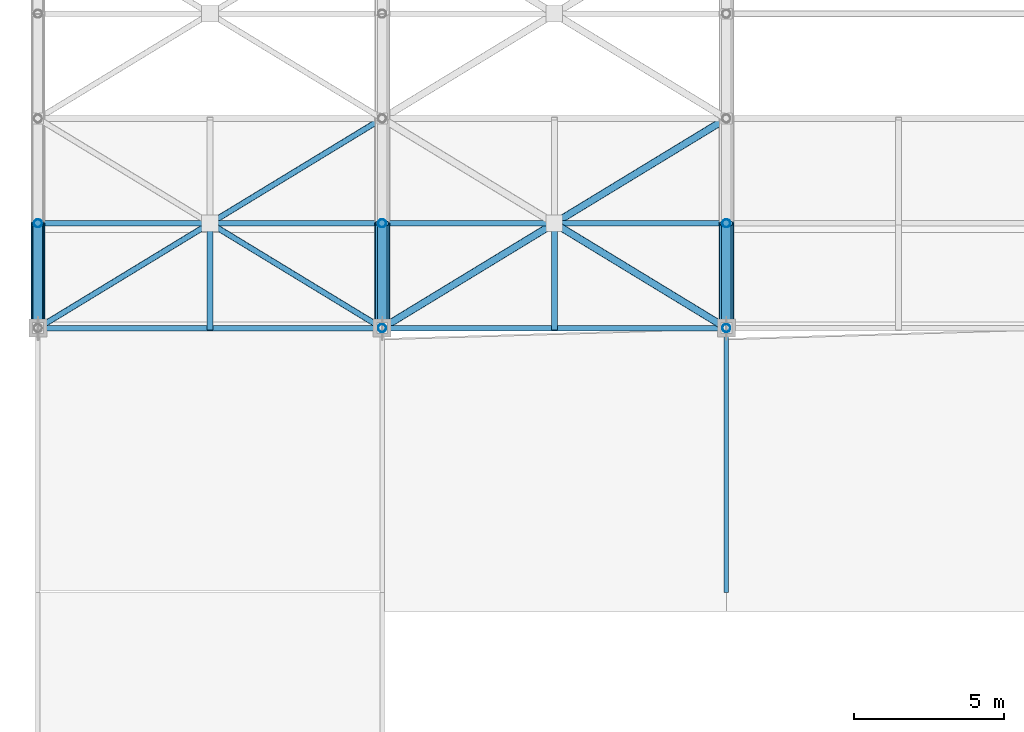
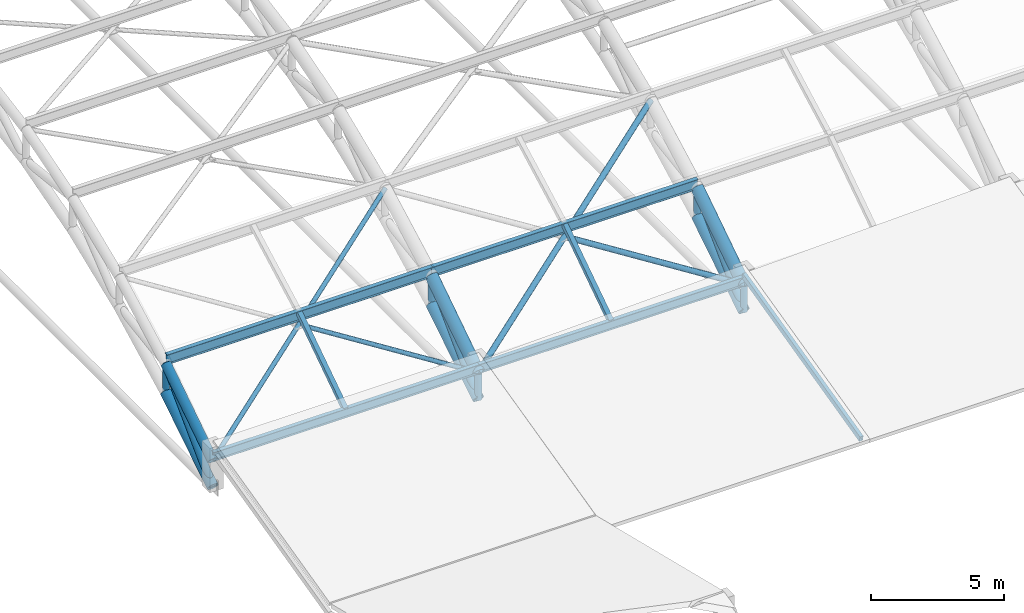
# One storey, part 4 of 154: 25 members.
"""IFC4 building model written with IfcOpenShell, lengths in metres."""

from ifc_helpers import new_model, si_unit, direction, frame, origin, origin_2d, place, context, subcontext, project, spatial, hollow_rectangle, hollow_circle, i_section, extrude, material, material_profile, profile_set, type_object, element, save


model = new_model("IFC4")

# Units and contexts
model_context = context("Model", 3, precision=1e-05, world=origin(), true_north=direction((0.0, 1.0)))
body_context = subcontext(model_context, "Body", "Model", "MODEL_VIEW")
ifc_project = project(units=[si_unit("LENGTHUNIT", "METRE"), si_unit("AREAUNIT", "SQUARE_METRE"), si_unit("VOLUMEUNIT", "CUBIC_METRE"), si_unit("PLANEANGLEUNIT", "RADIAN"), si_unit("MASSUNIT", "GRAM", prefix="KILO")], contexts=[model_context])

# Site, building, storey
site_placement = place(None, origin())
site = spatial("IfcSite", under=ifc_project, at=site_placement, CompositionType="ELEMENT")
building_placement = place(site_placement, origin())
building = spatial("IfcBuilding", under=site, at=building_placement, Name="Ologun Quay Terminus", CompositionType="ELEMENT")
storey_placement = place(building_placement, frame((0.0, 0.0, 13.800048828125)))
storey = spatial("IfcBuildingStorey", under=building, at=storey_placement, Name="L03", CompositionType="ELEMENT", Elevation=13.800048828125)

# Members
ifc_material_1 = material(Name="Steel S355", Category="steel")
ifc_material_profile_1 = material_profile(ifc_material_1, hollow_circle(Radius=0.136474609375, WallThickness=0.010009765625, at=origin_2d()), Name="CHS 273x10")
ifc_profile_set_1 = profile_set([ifc_material_profile_1], Name="Steel S355")
member_type_1 = type_object("IfcMemberType", Name="Arch Truss Vertical Post CHS273", PredefinedType="STRUT", material=ifc_profile_set_1)
member_1_placement = place(storey_placement, frame((0.0, 39.5, 2.212158203125), z_axis=(0.0, 0.0, 1.0), x_axis=(1.0, 0.0, 0.0)))
element("IfcMember", 1, at=member_1_placement, inside=storey, type_object=member_type_1, Name="AW2 Arch Web Post 1-N1", PredefinedType="STRUT", context=body_context, shape_type="SweptSolid", body=[
    extrude(hollow_circle(Radius=0.136474609375, WallThickness=0.010009765625, at=origin_2d()), origin(), (0.0, 0.0, 1.0), 1.28564453125),
])
member_2_placement = place(storey_placement, frame((11.5, 36.0, 0.0), z_axis=(0.0, 0.0, 1.0), x_axis=(1.0, 0.0, 0.0)))
element("IfcMember", 2, at=member_2_placement, inside=storey, type_object=member_type_1, Name="AW2 Arch Web Post 2-N0", PredefinedType="STRUT", context=body_context, shape_type="SweptSolid", body=[
    extrude(hollow_circle(Radius=0.136474609375, WallThickness=0.010009765625, at=origin_2d()), origin(), (0.0, 0.0, 1.0), 1.199951171875),
])
member_3_placement = place(storey_placement, frame((11.5, 39.5, 2.212158203125), z_axis=(0.0, 0.0, 1.0), x_axis=(1.0, 0.0, 0.0)))
element("IfcMember", 3, at=member_3_placement, inside=storey, type_object=member_type_1, Name="AW2 Arch Web Post 2-N1", PredefinedType="STRUT", context=body_context, shape_type="SweptSolid", body=[
    extrude(hollow_circle(Radius=0.136474609375, WallThickness=0.010009765625, at=origin_2d()), origin(), (0.0, 0.0, 1.0), 1.28564453125),
])
member_4_placement = place(storey_placement, frame((23.0, 36.0, 0.0), z_axis=(0.0, 0.0, 1.0), x_axis=(1.0, 0.0, 0.0)))
element("IfcMember", 4, at=member_4_placement, inside=storey, type_object=member_type_1, Name="AW2 Arch Web Post 3-N0", PredefinedType="STRUT", context=body_context, shape_type="SweptSolid", body=[
    extrude(hollow_circle(Radius=0.136474609375, WallThickness=0.010009765625, at=origin_2d()), origin(), (0.0, 0.0, 1.0), 1.199951171875),
])
member_5_placement = place(storey_placement, frame((23.0, 39.5, 2.212158203125), z_axis=(0.0, 0.0, 1.0), x_axis=(1.0, 0.0, 0.0)))
element("IfcMember", 5, at=member_5_placement, inside=storey, type_object=member_type_1, Name="AW2 Arch Web Post 3-N1", PredefinedType="STRUT", context=body_context, shape_type="SweptSolid", body=[
    extrude(hollow_circle(Radius=0.136474609375, WallThickness=0.010009765625, at=origin_2d()), origin(), (0.0, 0.0, 1.0), 1.28564453125),
])
ifc_material_2 = material(Name="Steel S355", Category="steel")
ifc_material_profile_2 = material_profile(ifc_material_2, hollow_circle(Radius=0.161865234375, WallThickness=0.010009765625, at=origin_2d()), Name="CHS 323.9x10")
ifc_profile_set_2 = profile_set([ifc_material_profile_2], Name="Steel S355")
member_type_2 = type_object("IfcMemberType", Name="Arch Truss Web Diagonal CHS323", PredefinedType="BRACE", material=ifc_profile_set_2)
for number, where, z_axis, x_axis, name in (
    (6, (0.0, 36.0, 0.0), (0.0, 0.707328773357, 0.706884719301), (-1.0, 0.0, 0.0), "AW1 Arch Web Diagonal 1-P1"),
    (7, (11.5, 36.0, 0.0), (0.0, 0.707328773357, 0.706884719301), (-1.0, 0.0, 0.0), "AW1 Arch Web Diagonal 2-P1"),
    (8, (23.0, 36.0, 0.0), (0.0, 0.707328773357, 0.706884719301), (-1.0, 0.0, 0.0), "AW1 Arch Web Diagonal 3-P1"),
):
    element("IfcMember", number, at=place(storey_placement, frame(where, z_axis=z_axis, x_axis=x_axis)), inside=storey, type_object=member_type_2, Name=name, PredefinedType="BRACE", context=body_context, shape_type="SweptSolid", body=[
        extrude(hollow_circle(Radius=0.161865234375, WallThickness=0.010009765625, at=origin_2d()), origin(), (0.0, 0.0, 1.0), 4.9482421875),
    ])
ifc_material_3 = material(Name="Steel S355", Category="steel")
ifc_material_profile_3 = material_profile(ifc_material_3, hollow_circle(Radius=0.203125, WallThickness=0.012451171875, at=origin_2d()), Name="CHS 406.4x12.5")
ifc_profile_set_3 = profile_set([ifc_material_profile_3], Name="Steel S355")
member_type_3 = type_object("IfcMemberType", Name="Gable End Arch Chord CHS406", PredefinedType="CHORD", material=ifc_profile_set_3)
member_6_placement = place(storey_placement, frame((0.0, 36.0, 1.199951171875), z_axis=(0.0, 0.835940905918, 0.548819461949), x_axis=(-1.0, 0.0, 0.0)))
element("IfcMember", 9, at=member_6_placement, inside=storey, type_object=member_type_3, Name="Arch Top Chord 1-P1", PredefinedType="CHORD", context=body_context, shape_type="SweptSolid", body=[
    extrude(hollow_circle(Radius=0.203125, WallThickness=0.012451171875, at=origin_2d()), origin(), (0.0, 0.0, 1.0), 4.18701171875),
])
ifc_material_4 = material(Name="Steel S355", Category="steel")
ifc_material_profile_4 = material_profile(ifc_material_4, hollow_circle(Radius=0.096923828125, WallThickness=0.00634765625, at=origin_2d()), Name="CHS 193.7x6.3")
ifc_profile_set_4 = profile_set([ifc_material_profile_4], Name="Steel S355")
member_type_4 = type_object("IfcMemberType", Name="Gable Portal Wind Brace CHS193", PredefinedType="BRACE", material=ifc_profile_set_4)
member_7_placement = place(storey_placement, frame((0.0, 36.0, 1.199951171875), z_axis=(0.815821451603, 0.496586970541, 0.296372636715), x_axis=(-0.519946946896, 0.854198555614, 0.0)))
element("IfcMember", 10, at=member_7_placement, inside=storey, type_object=member_type_4, Name="Roof Wind Brace A B1-K0", PredefinedType="BRACE", context=body_context, shape_type="SweptSolid", body=[
    extrude(hollow_circle(Radius=0.096923828125, WallThickness=0.00634765625, at=origin_2d()), origin(), (0.0, 0.0, 1.0), 14.09619140625),
])
member_8_placement = place(storey_placement, frame((5.8642578125, 39.430419921875, 3.247314453125), z_axis=(0.815823185614, -0.496583416265, -0.29637381886), x_axis=(0.51994342513, 0.854200699288, 0.0)))
element("IfcMember", 11, at=member_8_placement, inside=storey, type_object=member_type_4, Name="Roof Wind Brace B2 B1-K0", PredefinedType="BRACE", context=body_context, shape_type="SweptSolid", body=[
    extrude(hollow_circle(Radius=0.096923828125, WallThickness=0.00634765625, at=origin_2d()), origin(), (0.0, 0.0, 1.0), 6.907958984375),
])
ifc_material_5 = material(Name="Steel S355", Category="steel")
ifc_material_profile_5 = material_profile(ifc_material_5, hollow_circle(Radius=0.228515625, WallThickness=0.01611328125, at=origin_2d()), Name="CHS 457x16")
ifc_profile_set_5 = profile_set([ifc_material_profile_5], Name="Steel S355")
member_type_5 = type_object("IfcMemberType", Name="Parabolic Arch Bottom Chord CHS457", PredefinedType="CHORD", material=ifc_profile_set_5)
for number, where, z_axis, x_axis, name in (
    (12, (0.0, 36.0, 0.0), (0.0, 0.845310912611, 0.534274705578), (-1.0, 0.0, 0.0), "AC2 Arch Bottom Chord 1-P1"),
    (13, (11.5, 36.0, 0.0), (0.0, 0.845310912611, 0.534274705578), (-1.0, 0.0, 0.0), "AC2 Arch Bottom Chord 2-P1"),
    (14, (23.0, 36.0, 0.0), (0.0, 0.845310912611, 0.534274705578), (-1.0, 0.0, 0.0), "AC2 Arch Bottom Chord 3-P1"),
):
    element("IfcMember", number, at=place(storey_placement, frame(where, z_axis=z_axis, x_axis=x_axis)), inside=storey, type_object=member_type_5, Name=name, PredefinedType="CHORD", context=body_context, shape_type="SweptSolid", body=[
        extrude(hollow_circle(Radius=0.228515625, WallThickness=0.01611328125, at=origin_2d()), origin(), (0.0, 0.0, 1.0), 4.140380859375),
    ])
ifc_material_6 = material(Name="Steel S355", Category="steel")
ifc_material_profile_6 = material_profile(ifc_material_6, hollow_circle(Radius=0.25390625, WallThickness=0.01611328125, at=origin_2d()), Name="CHS 508x16")
ifc_profile_set_6 = profile_set([ifc_material_profile_6], Name="Steel S355")
member_type_6 = type_object("IfcMemberType", Name="Parabolic Arch Top Chord CHS508", PredefinedType="CHORD", material=ifc_profile_set_6)
for number, where, z_axis, x_axis, name in (
    (15, (11.5, 36.0, 1.199951171875), (0.0, 0.835940905918, 0.548819461949), (-1.0, 0.0, 0.0), "Arch Top Chord 2-P1"),
    (16, (23.0, 36.0, 1.199951171875), (0.0, 0.835940905918, 0.548819461949), (-1.0, 0.0, 0.0), "Arch Top Chord 3-P1"),
):
    element("IfcMember", number, at=place(storey_placement, frame(where, z_axis=z_axis, x_axis=x_axis)), inside=storey, type_object=member_type_6, Name=name, PredefinedType="CHORD", context=body_context, shape_type="SweptSolid", body=[
        extrude(hollow_circle(Radius=0.25390625, WallThickness=0.01611328125, at=origin_2d()), origin(), (0.0, 0.0, 1.0), 4.18701171875),
    ])
ifc_material_7 = material(Name="Steel S355", Category="steel")
ifc_material_profile_7 = material_profile(ifc_material_7, hollow_circle(Radius=0.122314453125, WallThickness=0.008056640625, at=origin_2d()), Name="CHS 244.5x8")
ifc_profile_set_7 = profile_set([ifc_material_profile_7], Name="Steel S355")
member_type_7 = type_object("IfcMemberType", Name="Roof Plan Wind Brace Primary CHS244", PredefinedType="BRACE", material=ifc_profile_set_7)
member_9_placement = place(storey_placement, frame((11.5, 36.0, 1.199951171875), z_axis=(0.815821451603, 0.496586970541, 0.296372636715), x_axis=(-0.519946946896, 0.854198555614, 0.0)))
element("IfcMember", 17, at=member_9_placement, inside=storey, type_object=member_type_7, Name="Roof Wind Brace A B2-K0", PredefinedType="BRACE", context=body_context, shape_type="SweptSolid", body=[
    extrude(hollow_circle(Radius=0.122314453125, WallThickness=0.008056640625, at=origin_2d()), origin(), (0.0, 0.0, 1.0), 14.09619140625),
])
member_10_placement = place(storey_placement, frame((17.3642578125, 39.430419921875, 3.247314453125), z_axis=(0.815823185614, -0.496583416265, -0.29637381886), x_axis=(0.51994342513, 0.854200699288, 0.0)))
element("IfcMember", 18, at=member_10_placement, inside=storey, type_object=member_type_7, Name="Roof Wind Brace B2 B2-K0", PredefinedType="BRACE", context=body_context, shape_type="SweptSolid", body=[
    extrude(hollow_circle(Radius=0.122314453125, WallThickness=0.008056640625, at=origin_2d()), origin(), (0.0, 0.0, 1.0), 6.907958984375),
])
ifc_material_8 = material(Name="Steel S355", Category="steel")
ifc_material_profile_8 = material_profile(ifc_material_8, hollow_rectangle(XDim=0.199951171875, YDim=0.199951171875, WallThickness=0.008056640625, at=origin_2d()), Name="SHS 200x200x8")
ifc_profile_set_8 = profile_set([ifc_material_profile_8], Name="Steel S355")
member_type_8 = type_object("IfcMemberType", Name="Skylight Cross Transom Bar RHS150", PredefinedType="STRUT", material=ifc_profile_set_8)
for number, where, z_axis, x_axis, name in (
    (19, (5.75, 36.0, 1.50341796875), (0.0, 0.830398014247, 0.55717065423), (-1.0, 0.0, 0.0), "SK2 Eave Secondary Rafter B1-P1"),
    (20, (17.25, 36.0, 1.50341796875), (0.0, 0.830398014247, 0.55717065423), (-1.0, 0.0, 0.0), "SK2 Eave Secondary Rafter B2-P1"),
):
    element("IfcMember", number, at=place(storey_placement, frame(where, z_axis=z_axis, x_axis=x_axis)), inside=storey, type_object=member_type_8, Name=name, PredefinedType="STRUT", context=body_context, shape_type="SweptSolid", body=[
        extrude(hollow_rectangle(XDim=0.199951171875, YDim=0.199951171875, WallThickness=0.008056640625, at=origin_2d()), origin(), (0.0, 0.0, 1.0), 4.21484375),
    ])
ifc_material_9 = material(Name="Steel S355", Category="steel")
ifc_material_profile_9 = material_profile(ifc_material_9, hollow_rectangle(XDim=0.14990234375, YDim=0.25, WallThickness=0.008056640625, at=origin_2d()), Name="RHS 250x150x8")
ifc_profile_set_9 = profile_set([ifc_material_profile_9], Name="Steel S355")
member_type_9 = type_object("IfcMemberType", Name="Skylight Longitudinal Glazing Bar RHS200", PredefinedType="PURLIN", material=ifc_profile_set_9)
member_11_placement = place(storey_placement, frame((23.0, 27.199951171875, -0.5224609375), z_axis=(0.0, 0.971430080393, 0.237325933914), x_axis=(-1.0, 0.0, 0.0)))
element("IfcMember", 21, at=member_11_placement, inside=storey, type_object=member_type_9, Name="SK1 Inclined Roof Rafter L03-SWL-3-DE", PredefinedType="PURLIN", context=body_context, shape_type="SweptSolid", body=[
    extrude(hollow_rectangle(XDim=0.14990234375, YDim=0.25, WallThickness=0.008056640625, at=origin_2d()), origin(), (0.0, 0.0, 1.0), 9.058837890625),
])
ifc_material_10 = material(Name="Steel S355", Category="steel")
ifc_material_profile_10 = material_profile(ifc_material_10, i_section(OverallWidth=0.177978515625, OverallDepth=0.406494140625, WebThickness=0.0078125, FlangeThickness=0.0126953125, at=origin_2d()), Name="UKB 406x178x60")
ifc_profile_set_10 = profile_set([ifc_material_profile_10], Name="Steel S355")
member_type_10 = type_object("IfcMemberType", Name="Train Shed Eave & Ridge Purlin UKB406", PredefinedType="PURLIN", material=ifc_profile_set_10)
for number, where, z_axis, x_axis, name in (
    (22, (0.0, 36.0, 1.403076171875), (1.0, 0.0, 0.0), (0.0, 1.0, 0.0), "PR2 Roof Purlin B1-N0"),
    (23, (11.5, 36.0, 1.403076171875), (1.0, 0.0, 0.0), (0.0, 1.0, 0.0), "PR2 Roof Purlin B2-N0"),
):
    element("IfcMember", number, at=place(storey_placement, frame(where, z_axis=z_axis, x_axis=x_axis)), inside=storey, type_object=member_type_10, Name=name, PredefinedType="PURLIN", context=body_context, shape_type="SweptSolid", body=[
        extrude(i_section(OverallWidth=0.177978515625, OverallDepth=0.406494140625, WebThickness=0.0078125, FlangeThickness=0.0126953125, at=origin_2d()), origin(), (0.0, 0.0, 1.0), 11.5),
    ])
ifc_material_11 = material(Name="Steel S355", Category="steel")
ifc_material_profile_11 = material_profile(ifc_material_11, i_section(OverallWidth=0.1904296875, OverallDepth=0.45703125, WebThickness=0.009033203125, FlangeThickness=0.014404296875, at=origin_2d()), Name="UKB 457x191x74")
ifc_profile_set_11 = profile_set([ifc_material_profile_11], Name="Steel S355")
member_type_11 = type_object("IfcMemberType", Name="Train Shed Primary Roof Purlin UKB457", PredefinedType="PURLIN", material=ifc_profile_set_11)
for number, where, z_axis, x_axis, name in (
    (24, (0.0, 39.5, 3.726318359375), (1.0, 0.0, 0.0), (0.0, 1.0, 0.0), "PR1 Roof Purlin B1-N1"),
    (25, (11.5, 39.5, 3.726318359375), (1.0, 0.0, 0.0), (0.0, 1.0, 0.0), "PR1 Roof Purlin B2-N1"),
):
    element("IfcMember", number, at=place(storey_placement, frame(where, z_axis=z_axis, x_axis=x_axis)), inside=storey, type_object=member_type_11, Name=name, PredefinedType="PURLIN", context=body_context, shape_type="SweptSolid", body=[
        extrude(i_section(OverallWidth=0.1904296875, OverallDepth=0.45703125, WebThickness=0.009033203125, FlangeThickness=0.014404296875, at=origin_2d()), origin(), (0.0, 0.0, 1.0), 11.5),
    ])

save(model, "model.ifc")
